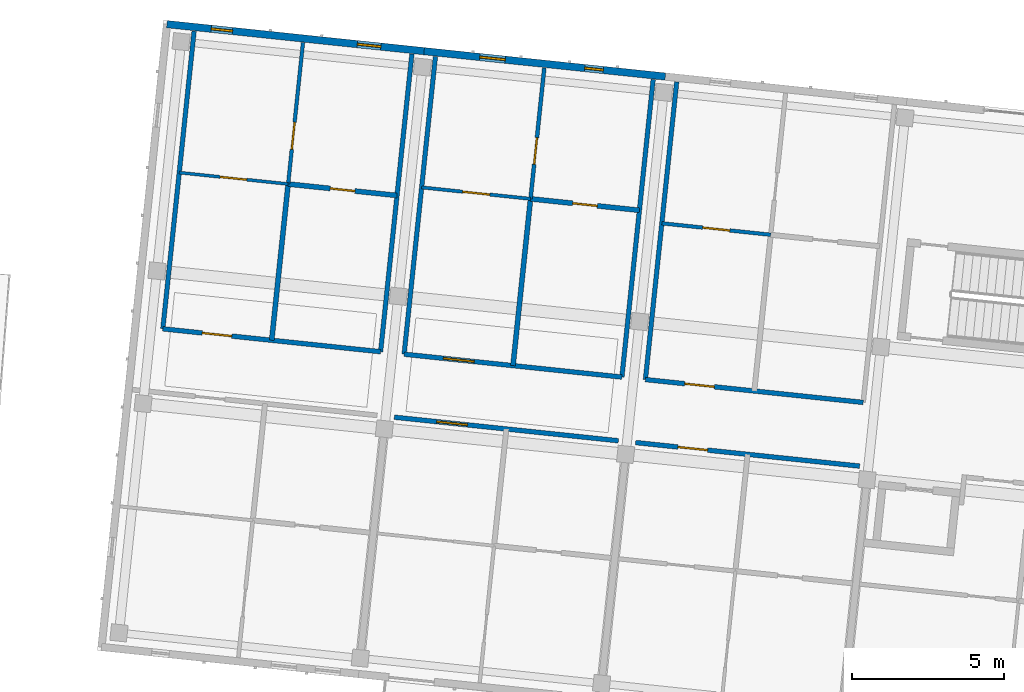
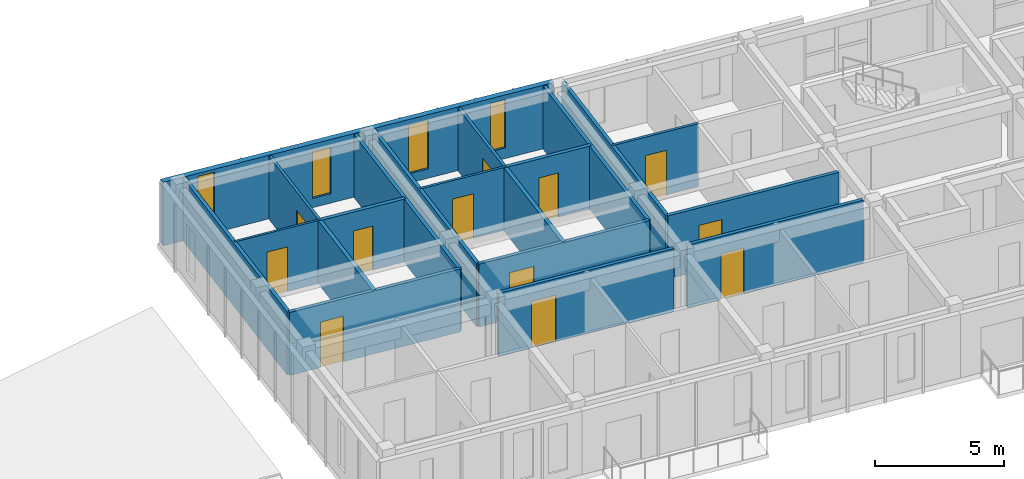
# One storey, part 30 of 74: 21 walls, 12 doors, 4 windows, 16 openings.
"""IFC4 building model written with IfcOpenShell, lengths in metres."""

from ifc_helpers import new_model, si_unit, direction, frame, frame_2d, origin, place, context, subcontext, project, spatial, rectangle, extrude, material, layer, layer_set, type_object, element, fill, save


model = new_model("IFC4")

# Units and contexts
model_context = context("Model", 3, precision=1e-05, world=origin(), true_north=direction((0.0, 1.0)))
body_context = subcontext(model_context, "Body", "Model", "MODEL_VIEW")
ifc_project = project(units=[si_unit("LENGTHUNIT", "METRE"), si_unit("AREAUNIT", "SQUARE_METRE"), si_unit("VOLUMEUNIT", "CUBIC_METRE"), si_unit("PLANEANGLEUNIT", "RADIAN"), si_unit("MASSUNIT", "GRAM", prefix="KILO")], contexts=[model_context])

# Site, building, storey
site_placement = place(None, origin())
site = spatial("IfcSite", under=ifc_project, at=site_placement, CompositionType="ELEMENT")
building_placement = place(site_placement, origin())
building = spatial("IfcBuilding", under=site, at=building_placement, Name="Kestramere Prow Commons", CompositionType="ELEMENT")
storey_placement = place(building_placement, frame((0.0, 0.0, 11.64990234375)))
storey = spatial("IfcBuildingStorey", under=building, at=storey_placement, Name="L03", CompositionType="ELEMENT", Elevation=11.64990234375)

# Wall, openings, windows
ifc_material_1 = material(Name="Fluoropolymer Standing-Seam Zinc-Aluminium Cladding", Category="aluminium")
ifc_layer_1 = layer(ifc_material_1, 0.239990234375)
ifc_layer_set_1 = layer_set([ifc_layer_1], Name="Fluoropolymer Standing-Seam Zinc-Aluminium Cladding")
wall_type_1 = type_object("IfcWallType", Name="EW-SEAM-240", PredefinedType="SOLIDWALL", material=ifc_layer_set_1)
wall_1_placement = place(storey_placement, frame((111.58154296875, 114.86962890625, 0.0), z_axis=(0.0, 0.0, 1.0), x_axis=(0.994521760736, -0.104529744196, 0.0)))
wall_1 = element("IfcWall", 1, at=wall_1_placement, inside=storey, type_object=wall_type_1, Name="Block B L03 North Standing-Seam Wall 1", PredefinedType="SOLIDWALL", context=body_context, shape_type="SweptSolid", body=[
    extrude(rectangle(XDim=8.52490234375, YDim=0.239990234375, at=frame_2d((4.262451171875, 0.0))), origin(), (0.0, 0.0, 1.0), 3.0),
])
opening_1_placement = place(wall_1_placement, frame((1.472900390625, 0.0, 0.5)))
opening_1 = element("IfcOpeningElement", 2, at=opening_1_placement, cuts=wall_1, Name="Opening WN-07", PredefinedType="OPENING", context=body_context, shape_type="SweptSolid", body=[
    extrude(rectangle(XDim=0.699951171875, YDim=2.360107421875, at=frame_2d((0.35009765625, 1.18017578125))), frame((0.0, 0.135009765625, 0.0), z_axis=(0.0, -1.0, 0.0), x_axis=(1.0, 0.0, 0.0)), (0.0, 0.0, 1.0), 0.27001953125),
])
opening_2_placement = place(wall_1_placement, frame((6.31494140625, 0.0, 0.43994140625)))
opening_2 = element("IfcOpeningElement", 3, at=opening_2_placement, cuts=wall_1, Name="Opening WN-11", PredefinedType="OPENING", context=body_context, shape_type="SweptSolid", body=[
    extrude(rectangle(XDim=0.780029296875, YDim=2.199951171875, at=frame_2d((0.39013671875, 1.10009765625))), frame((0.0, 0.135009765625, 0.0), z_axis=(0.0, -1.0, 0.0), x_axis=(1.0, 0.0, 0.0)), (0.0, 0.0, 1.0), 0.27001953125),
])
ifc_material_2 = material(Name="Low-E Laminated Double Glazing", Category="glass")
window_type_1 = type_object("IfcWindowType", Name="WN-NAR-700A", PartitioningType="SINGLE_PANEL", PredefinedType="WINDOW", material=ifc_material_2)
window_1_placement = place(opening_1_placement, origin())
window_1 = element("IfcWindow", 4, at=window_1_placement, inside=storey, type_object=window_type_1, Name="WN-B-L03-N-0-0", OverallHeight=2.360107421875, OverallWidth=0.699951171875, PartitioningType="SINGLE_PANEL", PredefinedType="WINDOW", context=body_context, shape_type="SweptSolid", body=[
    extrude(rectangle(XDim=0.699951171875, YDim=2.360107421875, at=frame_2d((0.35009765625, 1.18017578125))), frame((0.0, 0.030029296875, 0.0), z_axis=(0.0, -1.0, 0.0), x_axis=(1.0, 0.0, 0.0)), (0.0, 0.0, 1.0), 0.06005859375),
])
fill(opening_1, window_1)
window_type_2 = type_object("IfcWindowType", Name="WN-NAR-780A", PartitioningType="SINGLE_PANEL", PredefinedType="WINDOW", material=ifc_material_2)
window_2_placement = place(opening_2_placement, origin())
window_2 = element("IfcWindow", 5, at=window_2_placement, inside=storey, type_object=window_type_2, Name="WN-B-L03-N-0-1", OverallHeight=2.199951171875, OverallWidth=0.780029296875, PartitioningType="SINGLE_PANEL", PredefinedType="WINDOW", context=body_context, shape_type="SweptSolid", body=[
    extrude(rectangle(XDim=0.780029296875, YDim=2.199951171875, at=frame_2d((0.39013671875, 1.10009765625))), frame((0.0, 0.030029296875, 0.0), z_axis=(0.0, -1.0, 0.0), x_axis=(1.0, 0.0, 0.0)), (0.0, 0.0, 1.0), 0.06005859375),
])
fill(opening_2, window_2)

wall_2_placement = place(storey_placement, frame((120.059814453125, 113.978515625, 0.0), z_axis=(0.0, 0.0, 1.0), x_axis=(0.994522329422, -0.104524333444, 0.0)))
wall_2 = element("IfcWall", 6, at=wall_2_placement, inside=storey, type_object=wall_type_1, Name="Block B L03 North Standing-Seam Wall 2", PredefinedType="SOLIDWALL", context=body_context, shape_type="SweptSolid", body=[
    extrude(rectangle(XDim=7.999755859375, YDim=0.239990234375, at=frame_2d((4.0, 0.0))), origin(), (0.0, 0.0, 1.0), 3.0),
])
opening_3_placement = place(wall_2_placement, frame((1.847900390625, 0.0, 0.43994140625)))
opening_3 = element("IfcOpeningElement", 7, at=opening_3_placement, cuts=wall_2, Name="Opening WN-14", PredefinedType="OPENING", context=body_context, shape_type="SweptSolid", body=[
    extrude(rectangle(XDim=0.840087890625, YDim=2.280029296875, at=frame_2d((0.419921875, 1.14013671875))), frame((0.0, 0.135009765625, 0.0), z_axis=(0.0, -1.0, 0.0), x_axis=(1.0, 0.0, 0.0)), (0.0, 0.0, 1.0), 0.27001953125),
])
opening_4_placement = place(wall_2_placement, frame((5.323974609375, 0.0, 0.5)))
opening_4 = element("IfcOpeningElement", 8, at=opening_4_placement, cuts=wall_2, Name="Opening WN-03", PredefinedType="OPENING", context=body_context, shape_type="SweptSolid", body=[
    extrude(rectangle(XDim=0.6201171875, YDim=2.280029296875, at=frame_2d((0.31005859375, 1.14013671875))), frame((0.0, 0.135009765625, 0.0), z_axis=(0.0, -1.0, 0.0), x_axis=(1.0, 0.0, 0.0)), (0.0, 0.0, 1.0), 0.27001953125),
])
window_type_3 = type_object("IfcWindowType", Name="WN-NAR-620A", PartitioningType="SINGLE_PANEL", PredefinedType="WINDOW", material=ifc_material_2)
window_3_placement = place(opening_4_placement, origin())
window_3 = element("IfcWindow", 9, at=window_3_placement, inside=storey, type_object=window_type_3, Name="WN-B-L03-N-1-1", OverallHeight=2.280029296875, OverallWidth=0.6201171875, PartitioningType="SINGLE_PANEL", PredefinedType="WINDOW", context=body_context, shape_type="SweptSolid", body=[
    extrude(rectangle(XDim=0.6201171875, YDim=2.280029296875, at=frame_2d((0.31005859375, 1.14013671875))), frame((0.0, 0.030029296875, 0.0), z_axis=(0.0, -1.0, 0.0), x_axis=(1.0, 0.0, 0.0)), (0.0, 0.0, 1.0), 0.06005859375),
])
fill(opening_4, window_3)
window_type_4 = type_object("IfcWindowType", Name="WN-NAR-840A", PartitioningType="DOUBLE_PANEL_VERTICAL", PredefinedType="WINDOW", material=ifc_material_2)
window_4_placement = place(opening_3_placement, origin())
window_4 = element("IfcWindow", 10, at=window_4_placement, inside=storey, type_object=window_type_4, Name="WN-B-L03-N-1-0", OverallHeight=2.280029296875, OverallWidth=0.840087890625, PartitioningType="SINGLE_PANEL", PredefinedType="WINDOW", context=body_context, shape_type="SweptSolid", body=[
    extrude(rectangle(XDim=0.840087890625, YDim=2.280029296875, at=frame_2d((0.419921875, 1.14013671875))), frame((0.0, 0.030029296875, 0.0), z_axis=(0.0, -1.0, 0.0), x_axis=(1.0, 0.0, 0.0)), (0.0, 0.0, 1.0), 0.06005859375),
])
fill(opening_3, window_4)

# Wall, opening, door
ifc_material_3 = material(Name="Fire-Rated Calcium Silicate Wall")
ifc_layer_2 = layer(ifc_material_3, 0.155029296875)
ifc_layer_set_2 = layer_set([ifc_layer_2], Name="Fire-Rated Calcium Silicate Wall")
wall_type_2 = type_object("IfcWallType", Name="W-FIRE-150", PredefinedType="PARTITIONING", material=ifc_layer_set_2)
wall_3_placement = place(storey_placement, frame((119.077880859375, 101.91015625, 0.0), z_axis=(0.0, 0.0, 1.0), x_axis=(0.99451912784, -0.104554791185, 0.0)))
wall_3 = element("IfcWall", 11, at=wall_3_placement, inside=storey, type_object=wall_type_2, Name="Interior Partition PW-B-L03-CS-1", PredefinedType="PARTITIONING", context=body_context, shape_type="SweptSolid", body=[
    extrude(rectangle(XDim=7.43017578125, YDim=0.155029296875, at=frame_2d((3.715087890625, 0.0))), origin(), (0.0, 0.0, 1.0), 2.97021484375),
])
opening_5_placement = place(wall_3_placement, frame((1.405029296875, 0.0, 0.0)))
opening_5 = element("IfcOpeningElement", 12, at=opening_5_placement, cuts=wall_3, Name="Opening ID-05", PredefinedType="OPENING", context=body_context, shape_type="SweptSolid", body=[
    extrude(rectangle(XDim=1.02001953125, YDim=2.199951171875, at=frame_2d((0.510009765625, 1.10009765625))), frame((0.0, 0.092529296875, 0.0), z_axis=(0.0, -1.0, 0.0), x_axis=(1.0, 0.0, 0.0)), (0.0, 0.0, 1.0), 0.18505859375),
])
ifc_material_4 = material(Name="Hardwood Fire-Rated Flat Entrance Door", Category="wood")
door_type_1 = type_object("IfcDoorType", Name="FD-ENT-02", OperationType="NOTDEFINED", PredefinedType="DOOR", material=ifc_material_4)
door_1_placement = place(opening_5_placement, origin())
door_1 = element("IfcDoor", 13, at=door_1_placement, inside=storey, type_object=door_type_1, Name="Interior Door DR-B-L03-ENT-S1", OperationType="SINGLE_SWING_LEFT", OverallHeight=2.199951171875, OverallWidth=1.02001953125, PredefinedType="DOOR", context=body_context, shape_type="SweptSolid", body=[
    extrude(rectangle(XDim=1.02001953125, YDim=2.199951171875, at=frame_2d((0.510009765625, 1.10009765625))), frame((0.0, 0.02490234375, 0.0), z_axis=(0.0, -1.0, 0.0), x_axis=(1.0, 0.0, 0.0)), (0.0, 0.0, 1.0), 0.050048828125),
])
fill(opening_5, door_1)

wall_4_placement = place(storey_placement, frame((127.0341796875, 101.07373046875, 0.0), z_axis=(0.0, 0.0, 1.0), x_axis=(0.994522184982, -0.104525707739, 0.0)))
wall_4 = element("IfcWall", 14, at=wall_4_placement, inside=storey, type_object=wall_type_2, Name="Interior Partition PW-B-L03-CS-2", PredefinedType="PARTITIONING", context=body_context, shape_type="SweptSolid", body=[
    extrude(rectangle(XDim=7.429931640625, YDim=0.155029296875, at=frame_2d((3.71484375, 0.0))), origin(), (0.0, 0.0, 1.0), 2.97021484375),
])
opening_6_placement = place(wall_4_placement, frame((1.405029296875, 0.0, 0.0)))
opening_6 = element("IfcOpeningElement", 15, at=opening_6_placement, cuts=wall_4, Name="Opening ID-04", PredefinedType="OPENING", context=body_context, shape_type="SweptSolid", body=[
    extrude(rectangle(XDim=0.97998046875, YDim=2.14990234375, at=frame_2d((0.489990234375, 1.074951171875))), frame((0.0, 0.092529296875, 0.0), z_axis=(0.0, -1.0, 0.0), x_axis=(1.0, 0.0, 0.0)), (0.0, 0.0, 1.0), 0.18505859375),
])
door_type_2 = type_object("IfcDoorType", Name="FD-ENT-01", OperationType="NOTDEFINED", PredefinedType="DOOR", material=ifc_material_4)
door_2_placement = place(opening_6_placement, origin())
door_2 = element("IfcDoor", 16, at=door_2_placement, inside=storey, type_object=door_type_2, Name="Interior Door DR-B-L03-ENT-S2", OperationType="SINGLE_SWING_RIGHT", OverallHeight=2.14990234375, OverallWidth=0.97998046875, PredefinedType="DOOR", context=body_context, shape_type="SweptSolid", body=[
    extrude(rectangle(XDim=0.97998046875, YDim=2.14990234375, at=frame_2d((0.489990234375, 1.074951171875))), frame((0.0, 0.02490234375, 0.0), z_axis=(0.0, -1.0, 0.0), x_axis=(1.0, 0.0, 0.0)), (0.0, 0.0, 1.0), 0.050048828125),
])
fill(opening_6, door_2)

wall_5_placement = place(storey_placement, frame((111.44580078125, 104.82373046875, 0.0), z_axis=(0.0, 0.0, 1.0), x_axis=(0.994522671024, -0.104521083137, 0.0)))
wall_5 = element("IfcWall", 17, at=wall_5_placement, inside=storey, type_object=wall_type_2, Name="Interior Partition PW-B-L03-CN-0", PredefinedType="PARTITIONING", context=body_context, shape_type="SweptSolid", body=[
    extrude(rectangle(XDim=7.219970703125, YDim=0.155029296875, at=frame_2d((3.60986328125, 0.0))), origin(), (0.0, 0.0, 1.0), 2.97021484375),
])
opening_7_placement = place(wall_5_placement, frame((1.304931640625, 0.0, 0.0)))
opening_7 = element("IfcOpeningElement", 18, at=opening_7_placement, cuts=wall_5, Name="Opening ID-04", PredefinedType="OPENING", context=body_context, shape_type="SweptSolid", body=[
    extrude(rectangle(XDim=0.97998046875, YDim=2.14990234375, at=frame_2d((0.489990234375, 1.074951171875))), frame((0.0, 0.092529296875, 0.0), z_axis=(0.0, -1.0, 0.0), x_axis=(1.0, 0.0, 0.0)), (0.0, 0.0, 1.0), 0.18505859375),
])
door_3_placement = place(opening_7_placement, origin())
door_3 = element("IfcDoor", 19, at=door_3_placement, inside=storey, type_object=door_type_2, Name="Interior Door DR-B-L03-ENT-N0", OperationType="SINGLE_SWING_RIGHT", OverallHeight=2.14990234375, OverallWidth=0.97998046875, PredefinedType="DOOR", context=body_context, shape_type="SweptSolid", body=[
    extrude(rectangle(XDim=0.97998046875, YDim=2.14990234375, at=frame_2d((0.489990234375, 1.074951171875))), frame((0.0, 0.02490234375, 0.0), z_axis=(0.0, -1.0, 0.0), x_axis=(1.0, 0.0, 0.0)), (0.0, 0.0, 1.0), 0.050048828125),
])
fill(opening_7, door_3)

wall_6_placement = place(storey_placement, frame((119.40185546875, 103.987548828125, 0.0), z_axis=(0.0, 0.0, 1.0), x_axis=(0.994522671024, -0.104521083137, 0.0)))
wall_6 = element("IfcWall", 20, at=wall_6_placement, inside=storey, type_object=wall_type_2, Name="Interior Partition PW-B-L03-CN-1", PredefinedType="PARTITIONING", context=body_context, shape_type="SweptSolid", body=[
    extrude(rectangle(XDim=7.219970703125, YDim=0.155029296875, at=frame_2d((3.60986328125, 0.0))), origin(), (0.0, 0.0, 1.0), 2.97021484375),
])
opening_8_placement = place(wall_6_placement, frame((1.304931640625, 0.0, 0.0)))
opening_8 = element("IfcOpeningElement", 21, at=opening_8_placement, cuts=wall_6, Name="Opening ID-05", PredefinedType="OPENING", context=body_context, shape_type="SweptSolid", body=[
    extrude(rectangle(XDim=1.02001953125, YDim=2.199951171875, at=frame_2d((0.510009765625, 1.10009765625))), frame((0.0, 0.092529296875, 0.0), z_axis=(0.0, -1.0, 0.0), x_axis=(1.0, 0.0, 0.0)), (0.0, 0.0, 1.0), 0.18505859375),
])
door_4_placement = place(opening_8_placement, origin())
door_4 = element("IfcDoor", 22, at=door_4_placement, inside=storey, type_object=door_type_1, Name="Interior Door DR-B-L03-ENT-N1", OperationType="SINGLE_SWING_LEFT", OverallHeight=2.199951171875, OverallWidth=1.02001953125, PredefinedType="DOOR", context=body_context, shape_type="SweptSolid", body=[
    extrude(rectangle(XDim=1.02001953125, YDim=2.199951171875, at=frame_2d((0.510009765625, 1.10009765625))), frame((0.0, 0.02490234375, 0.0), z_axis=(0.0, -1.0, 0.0), x_axis=(1.0, 0.0, 0.0)), (0.0, 0.0, 1.0), 0.050048828125),
])
fill(opening_8, door_4)

wall_7_placement = place(storey_placement, frame((127.358154296875, 103.1513671875, 0.0), z_axis=(0.0, 0.0, 1.0), x_axis=(0.994522671024, -0.104521083137, 0.0)))
wall_7 = element("IfcWall", 23, at=wall_7_placement, inside=storey, type_object=wall_type_2, Name="Interior Partition PW-B-L03-CN-2", PredefinedType="PARTITIONING", context=body_context, shape_type="SweptSolid", body=[
    extrude(rectangle(XDim=7.219970703125, YDim=0.155029296875, at=frame_2d((3.60986328125, 0.0))), origin(), (0.0, 0.0, 1.0), 2.97021484375),
])
opening_9_placement = place(wall_7_placement, frame((1.304931640625, 0.0, 0.0)))
opening_9 = element("IfcOpeningElement", 24, at=opening_9_placement, cuts=wall_7, Name="Opening ID-04", PredefinedType="OPENING", context=body_context, shape_type="SweptSolid", body=[
    extrude(rectangle(XDim=0.97998046875, YDim=2.14990234375, at=frame_2d((0.489990234375, 1.074951171875))), frame((0.0, 0.092529296875, 0.0), z_axis=(0.0, -1.0, 0.0), x_axis=(1.0, 0.0, 0.0)), (0.0, 0.0, 1.0), 0.18505859375),
])
door_5_placement = place(opening_9_placement, origin())
door_5 = element("IfcDoor", 25, at=door_5_placement, inside=storey, type_object=door_type_2, Name="Interior Door DR-B-L03-ENT-N2", OperationType="SINGLE_SWING_RIGHT", OverallHeight=2.14990234375, OverallWidth=0.97998046875, PredefinedType="DOOR", context=body_context, shape_type="SweptSolid", body=[
    extrude(rectangle(XDim=0.97998046875, YDim=2.14990234375, at=frame_2d((0.489990234375, 1.074951171875))), frame((0.0, 0.02490234375, 0.0), z_axis=(0.0, -1.0, 0.0), x_axis=(1.0, 0.0, 0.0)), (0.0, 0.0, 1.0), 0.050048828125),
])
fill(opening_9, door_5)

ifc_material_5 = material(Name="Gypsum Acoustic Drywall")
ifc_layer_3 = layer(ifc_material_5, 0.10009765625)
ifc_layer_set_3 = layer_set([ifc_layer_3], Name="Gypsum Acoustic Drywall")
wall_type_3 = type_object("IfcWallType", Name="W-PART-100", PredefinedType="PARTITIONING", material=ifc_layer_set_3)
wall_8_placement = place(storey_placement, frame((111.987060546875, 109.975341796875, 0.0), z_axis=(0.0, 0.0, 1.0), x_axis=(0.994526554618, -0.104484123955, 0.0)))
wall_8 = element("IfcWall", 26, at=wall_8_placement, inside=storey, type_object=wall_type_3, Name="Interior Partition PW-B-L03-MIDN1-0", PredefinedType="PARTITIONING", context=body_context, shape_type="SweptSolid", body=[
    extrude(rectangle(XDim=3.610107421875, YDim=0.10009765625, at=frame_2d((1.80517578125, 0.0))), origin(), (0.0, 0.0, 1.0), 2.97021484375),
])
opening_10_placement = place(wall_8_placement, frame((1.35498046875, 0.0, 0.0)))
opening_10 = element("IfcOpeningElement", 27, at=opening_10_placement, cuts=wall_8, Name="Opening ID-10", PredefinedType="OPENING", context=body_context, shape_type="SweptSolid", body=[
    extrude(rectangle(XDim=0.8798828125, YDim=2.10009765625, at=frame_2d((0.43994140625, 1.050048828125))), frame((0.0, 0.06494140625, 0.0), z_axis=(0.0, -1.0, 0.0), x_axis=(1.0, 0.0, 0.0)), (0.0, 0.0, 1.0), 0.130126953125),
])
ifc_material_6 = material(Name="Engineered Timber Bedroom Door", Category="wood")
door_type_3 = type_object("IfcDoorType", Name="D-RM-03", OperationType="NOTDEFINED", PredefinedType="DOOR", material=ifc_material_6)
door_6_placement = place(opening_10_placement, origin())
door_6 = element("IfcDoor", 28, at=door_6_placement, inside=storey, type_object=door_type_3, Name="Interior Door DR-B-L03-KL-N0", OperationType="SINGLE_SWING_LEFT", OverallHeight=2.10009765625, OverallWidth=0.8798828125, PredefinedType="DOOR", context=body_context, shape_type="SweptSolid", body=[
    extrude(rectangle(XDim=0.8798828125, YDim=2.10009765625, at=frame_2d((0.43994140625, 1.050048828125))), frame((0.0, 0.02490234375, 0.0), z_axis=(0.0, -1.0, 0.0), x_axis=(1.0, 0.0, 0.0)), (0.0, 0.0, 1.0), 0.050048828125),
])
fill(opening_10, door_6)

ifc_layer_4 = layer(ifc_material_5, 0.110107421875)
ifc_layer_set_4 = layer_set([ifc_layer_4], Name="Gypsum Acoustic Drywall")
wall_type_4 = type_object("IfcWallType", Name="W-PART-110", PredefinedType="PARTITIONING", material=ifc_layer_set_4)
wall_9_placement = place(storey_placement, frame((119.97998046875, 109.4873046875, 0.0), z_axis=(0.0, 0.0, 1.0), x_axis=(0.994518785821, -0.104558044398, 0.0)))
wall_9 = element("IfcWall", 29, at=wall_9_placement, inside=storey, type_object=wall_type_4, Name="Interior Partition PW-B-L03-MIDN1-1", PredefinedType="PARTITIONING", context=body_context, shape_type="SweptSolid", body=[
    extrude(rectangle(XDim=3.60986328125, YDim=0.110107421875, at=frame_2d((1.804931640625, 0.0))), origin(), (0.0, 0.0, 1.0), 2.97021484375),
])
opening_11_placement = place(wall_9_placement, frame((1.35498046875, 0.0, 0.0)))
opening_11 = element("IfcOpeningElement", 30, at=opening_11_placement, cuts=wall_9, Name="Opening ID-08", PredefinedType="OPENING", context=body_context, shape_type="SweptSolid", body=[
    extrude(rectangle(XDim=0.89990234375, YDim=2.10009765625, at=frame_2d((0.449951171875, 1.050048828125))), frame((0.0, 0.070068359375, 0.0), z_axis=(0.0, -1.0, 0.0), x_axis=(1.0, 0.0, 0.0)), (0.0, 0.0, 1.0), 0.14013671875),
])
ifc_material_7 = material(Name="Engineered Timber Flush Door", Category="wood")
door_type_4 = type_object("IfcDoorType", Name="D-RM-01", OperationType="NOTDEFINED", PredefinedType="DOOR", material=ifc_material_7)
door_7_placement = place(opening_11_placement, origin())
door_7 = element("IfcDoor", 31, at=door_7_placement, inside=storey, type_object=door_type_4, Name="Interior Door DR-B-L03-KL-N1", OperationType="SINGLE_SWING_LEFT", OverallHeight=2.10009765625, OverallWidth=0.89990234375, PredefinedType="DOOR", context=body_context, shape_type="SweptSolid", body=[
    extrude(rectangle(XDim=0.89990234375, YDim=2.10009765625, at=frame_2d((0.449951171875, 1.050048828125))), frame((0.0, 0.02490234375, 0.0), z_axis=(0.0, -1.0, 0.0), x_axis=(1.0, 0.0, 0.0)), (0.0, 0.0, 1.0), 0.050048828125),
])
fill(opening_11, door_7)

ifc_material_8 = material(Name="Lightweight Blockwork and Plaster", Category="masonry")
ifc_layer_5 = layer(ifc_material_8, 0.1201171875)
ifc_layer_set_5 = layer_set([ifc_layer_5], Name="Lightweight Blockwork and Plaster")
wall_type_5 = type_object("IfcWallType", Name="W-PART-120", PredefinedType="PARTITIONING", material=ifc_layer_set_5)
wall_10_placement = place(storey_placement, frame((115.577392578125, 109.59814453125, 0.0), z_axis=(0.0, 0.0, 1.0), x_axis=(0.104527618124, 0.994521984196, 0.0)))
wall_10 = element("IfcWall", 32, at=wall_10_placement, inside=storey, type_object=wall_type_5, Name="Interior Partition PW-B-L03-LB-N0", PredefinedType="PARTITIONING", context=body_context, shape_type="SweptSolid", body=[
    extrude(rectangle(XDim=4.68994140625, YDim=0.1201171875, at=frame_2d((2.344970703125, 0.0))), origin(), (0.0, 0.0, 1.0), 2.97021484375),
])
opening_12_placement = place(wall_10_placement, frame((1.14990234375, 0.0, 0.0)))
opening_12 = element("IfcOpeningElement", 33, at=opening_12_placement, cuts=wall_10, Name="Opening ID-08", PredefinedType="OPENING", context=body_context, shape_type="SweptSolid", body=[
    extrude(rectangle(XDim=0.89990234375, YDim=2.10009765625, at=frame_2d((0.449951171875, 1.050048828125))), frame((0.0, 0.074951171875, 0.0), z_axis=(0.0, -1.0, 0.0), x_axis=(1.0, 0.0, 0.0)), (0.0, 0.0, 1.0), 0.150146484375),
])
door_8_placement = place(opening_12_placement, origin())
door_8 = element("IfcDoor", 34, at=door_8_placement, inside=storey, type_object=door_type_4, Name="Interior Door DR-B-L03-BED-N0", OperationType="SINGLE_SWING_LEFT", OverallHeight=2.10009765625, OverallWidth=0.89990234375, PredefinedType="DOOR", context=body_context, shape_type="SweptSolid", body=[
    extrude(rectangle(XDim=0.89990234375, YDim=2.10009765625, at=frame_2d((0.449951171875, 1.050048828125))), frame((0.0, 0.02490234375, 0.0), z_axis=(0.0, -1.0, 0.0), x_axis=(1.0, 0.0, 0.0)), (0.0, 0.0, 1.0), 0.050048828125),
])
fill(opening_12, door_8)

wall_11_placement = place(storey_placement, frame((127.8994140625, 108.302978515625, 0.0), z_axis=(0.0, 0.0, 1.0), x_axis=(0.994519525119, -0.104551012229, 0.0)))
wall_11 = element("IfcWall", 35, at=wall_11_placement, inside=storey, type_object=wall_type_5, Name="Interior Partition PW-B-L03-MIDN1-2", PredefinedType="PARTITIONING", context=body_context, shape_type="SweptSolid", body=[
    extrude(rectangle(XDim=3.610107421875, YDim=0.1201171875, at=frame_2d((1.80517578125, 0.0))), origin(), (0.0, 0.0, 1.0), 2.97021484375),
])
opening_13_placement = place(wall_11_placement, frame((1.35498046875, 0.0, 0.0)))
opening_13 = element("IfcOpeningElement", 36, at=opening_13_placement, cuts=wall_11, Name="Opening ID-08", PredefinedType="OPENING", context=body_context, shape_type="SweptSolid", body=[
    extrude(rectangle(XDim=0.89990234375, YDim=2.10009765625, at=frame_2d((0.449951171875, 1.050048828125))), frame((0.0, 0.074951171875, 0.0), z_axis=(0.0, -1.0, 0.0), x_axis=(1.0, 0.0, 0.0)), (0.0, 0.0, 1.0), 0.150146484375),
])
door_9_placement = place(opening_13_placement, origin())
door_9 = element("IfcDoor", 37, at=door_9_placement, inside=storey, type_object=door_type_4, Name="Interior Door DR-B-L03-KL-N2", OperationType="SINGLE_SWING_LEFT", OverallHeight=2.10009765625, OverallWidth=0.89990234375, PredefinedType="DOOR", context=body_context, shape_type="SweptSolid", body=[
    extrude(rectangle(XDim=0.89990234375, YDim=2.10009765625, at=frame_2d((0.449951171875, 1.050048828125))), frame((0.0, 0.02490234375, 0.0), z_axis=(0.0, -1.0, 0.0), x_axis=(1.0, 0.0, 0.0)), (0.0, 0.0, 1.0), 0.050048828125),
])
fill(opening_13, door_9)

ifc_layer_6 = layer(ifc_material_8, 0.1298828125)
ifc_layer_set_6 = layer_set([ifc_layer_6], Name="Lightweight Blockwork and Plaster")
wall_type_6 = type_object("IfcWallType", Name="W-PART-130", PredefinedType="PARTITIONING", material=ifc_layer_set_6)
wall_12_placement = place(storey_placement, frame((123.570068359375, 109.10986328125, 0.0), z_axis=(0.0, 0.0, 1.0), x_axis=(0.104514950243, 0.994523315552, 0.0)))
wall_12 = element("IfcWall", 38, at=wall_12_placement, inside=storey, type_object=wall_type_6, Name="Interior Partition PW-B-L03-LB-N1", PredefinedType="PARTITIONING", context=body_context, shape_type="SweptSolid", body=[
    extrude(rectangle(XDim=4.340087890625, YDim=0.1298828125, at=frame_2d((2.169921875, 0.0))), origin(), (0.0, 0.0, 1.0), 2.97021484375),
])
opening_14_placement = place(wall_12_placement, frame((1.14990234375, 0.0, 0.0)))
opening_14 = element("IfcOpeningElement", 39, at=opening_14_placement, cuts=wall_12, Name="Opening ID-10", PredefinedType="OPENING", context=body_context, shape_type="SweptSolid", body=[
    extrude(rectangle(XDim=0.8798828125, YDim=2.10009765625, at=frame_2d((0.43994140625, 1.050048828125))), frame((0.0, 0.079833984375, 0.0), z_axis=(0.0, -1.0, 0.0), x_axis=(1.0, 0.0, 0.0)), (0.0, 0.0, 1.0), 0.159912109375),
])
door_10_placement = place(opening_14_placement, origin())
door_10 = element("IfcDoor", 40, at=door_10_placement, inside=storey, type_object=door_type_3, Name="Interior Door DR-B-L03-BED-N1", OperationType="SINGLE_SWING_LEFT", OverallHeight=2.10009765625, OverallWidth=0.8798828125, PredefinedType="DOOR", context=body_context, shape_type="SweptSolid", body=[
    extrude(rectangle(XDim=0.8798828125, YDim=2.10009765625, at=frame_2d((0.43994140625, 1.050048828125))), frame((0.0, 0.02490234375, 0.0), z_axis=(0.0, -1.0, 0.0), x_axis=(1.0, 0.0, 0.0)), (0.0, 0.0, 1.0), 0.050048828125),
])
fill(opening_14, door_10)

# Walls
ifc_material_9 = material(Name="Masonry Compartment Wall", Category="masonry")
ifc_layer_7 = layer(ifc_material_9, 0.14990234375)
ifc_layer_set_7 = layer_set([ifc_layer_7], Name="Masonry Compartment Wall")
wall_type_7 = type_object("IfcWallType", Name="W-PART-150", PredefinedType="PARTITIONING", material=ifc_layer_set_7)
for number, where, z_axis, x_axis, name in (
    (41, (111.44580078125, 104.82373046875, 0.0), (0.0, 0.0, 1.0), (0.104508379977, 0.994524006002, 0.0), "Interior Partition PW-B-L03-NWL-0"),
    (42, (118.626220703125, 104.069091796875, 0.0), (0.0, 0.0, 1.0), (0.104508379977, 0.994524006002, 0.0), "Interior Partition PW-B-L03-NWR-0"),
    (43, (119.40185546875, 103.987548828125, 0.0), (0.0, 0.0, 1.0), (0.10453284543, 0.994521434775, 0.0), "Interior Partition PW-B-L03-NWL-1"),
    (44, (126.582275390625, 103.23291015625, 0.0), (0.0, 0.0, 1.0), (0.10453284543, 0.994521434775, 0.0), "Interior Partition PW-B-L03-NWR-1"),
    (45, (127.358154296875, 103.1513671875, 0.0), (0.0, 0.0, 1.0), (0.104508379977, 0.994524006002, 0.0), "Interior Partition PW-B-L03-NWL-2"),
):
    element("IfcWall", number, at=place(storey_placement, frame(where, z_axis=z_axis, x_axis=x_axis)), inside=storey, type_object=wall_type_7, Name=name, PredefinedType="PARTITIONING", context=body_context, shape_type="SweptSolid", body=[
        extrude(rectangle(XDim=9.869873046875, YDim=0.14990234375, at=frame_2d((4.93505859375, 0.0))), origin(), (0.0, 0.0, 1.0), 2.97021484375),
    ])

# Wall, opening, door
ifc_material_10 = material(Name="Waterproof Sanitary Masonry Wall", Category="masonry")
ifc_layer_8 = layer(ifc_material_10, 0.1650390625)
ifc_layer_set_8 = layer_set([ifc_layer_8], Name="Waterproof Sanitary Masonry Wall")
wall_type_8 = type_object("IfcWallType", Name="W-PLUMB-150", PredefinedType="PLUMBINGWALL", material=ifc_layer_set_8)
wall_13_placement = place(storey_placement, frame((115.577392578125, 109.59814453125, 0.0), z_axis=(0.0, 0.0, 1.0), x_axis=(0.994518785821, -0.104558044398, 0.0)))
wall_13 = element("IfcWall", 46, at=wall_13_placement, inside=storey, type_object=wall_type_8, Name="Interior Partition PW-B-L03-MIDN2-0", PredefinedType="PLUMBINGWALL", context=body_context, shape_type="SweptSolid", body=[
    extrude(rectangle(XDim=3.60986328125, YDim=0.1650390625, at=frame_2d((1.804931640625, 0.0))), origin(), (0.0, 0.0, 1.0), 2.97021484375),
])
opening_15_placement = place(wall_13_placement, frame((1.39501953125, 0.0, 0.0)))
opening_15 = element("IfcOpeningElement", 47, at=opening_15_placement, cuts=wall_13, Name="Opening ID-11", PredefinedType="OPENING", context=body_context, shape_type="SweptSolid", body=[
    extrude(rectangle(XDim=0.820068359375, YDim=2.080078125, at=frame_2d((0.41015625, 1.0400390625))), frame((0.0, 0.097412109375, 0.0), z_axis=(0.0, -1.0, 0.0), x_axis=(1.0, 0.0, 0.0)), (0.0, 0.0, 1.0), 0.195068359375),
])
ifc_material_11 = material(Name="Moisture-Resistant Timber Bathroom Door", Category="wood")
door_type_5 = type_object("IfcDoorType", Name="D-BT-01", OperationType="NOTDEFINED", PredefinedType="DOOR", material=ifc_material_11)
door_11_placement = place(opening_15_placement, origin())
door_11 = element("IfcDoor", 48, at=door_11_placement, inside=storey, type_object=door_type_5, Name="Interior Door DR-B-L03-BTH-N0", OperationType="SINGLE_SWING_RIGHT", OverallHeight=2.080078125, OverallWidth=0.820068359375, PredefinedType="DOOR", context=body_context, shape_type="SweptSolid", body=[
    extrude(rectangle(XDim=0.820068359375, YDim=2.080078125, at=frame_2d((0.41015625, 1.0400390625))), frame((0.0, 0.02490234375, 0.0), z_axis=(0.0, -1.0, 0.0), x_axis=(1.0, 0.0, 0.0)), (0.0, 0.0, 1.0), 0.050048828125),
])
fill(opening_15, door_11)

# Wall
wall_14_placement = place(storey_placement, frame((115.035888671875, 104.446533203125, 0.0), z_axis=(0.0, 0.0, 1.0), x_axis=(0.104537578263, 0.994520937301, 0.0)))
element("IfcWall", 49, at=wall_14_placement, inside=storey, type_object=wall_type_8, Name="Interior Partition PW-B-L03-KB-N0", PredefinedType="PLUMBINGWALL", context=body_context, shape_type="SweptSolid", body=[
    extrude(rectangle(XDim=5.179931640625, YDim=0.1650390625, at=frame_2d((2.58984375, 0.0))), origin(), (0.0, 0.0, 1.0), 2.97021484375),
])

# Wall, opening, door
wall_15_placement = place(storey_placement, frame((123.570068359375, 109.10986328125, 0.0), z_axis=(0.0, 0.0, 1.0), x_axis=(0.994526554618, -0.104484123955, 0.0)))
wall_15 = element("IfcWall", 50, at=wall_15_placement, inside=storey, type_object=wall_type_8, Name="Interior Partition PW-B-L03-MIDN2-1", PredefinedType="PLUMBINGWALL", context=body_context, shape_type="SweptSolid", body=[
    extrude(rectangle(XDim=3.610107421875, YDim=0.1650390625, at=frame_2d((1.80517578125, 0.0))), origin(), (0.0, 0.0, 1.0), 2.97021484375),
])
opening_16_placement = place(wall_15_placement, frame((1.39501953125, 0.0, 0.0)))
opening_16 = element("IfcOpeningElement", 51, at=opening_16_placement, cuts=wall_15, Name="Opening ID-11", PredefinedType="OPENING", context=body_context, shape_type="SweptSolid", body=[
    extrude(rectangle(XDim=0.820068359375, YDim=2.080078125, at=frame_2d((0.41015625, 1.0400390625))), frame((0.0, 0.097412109375, 0.0), z_axis=(0.0, -1.0, 0.0), x_axis=(1.0, 0.0, 0.0)), (0.0, 0.0, 1.0), 0.195068359375),
])
door_12_placement = place(opening_16_placement, origin())
door_12 = element("IfcDoor", 52, at=door_12_placement, inside=storey, type_object=door_type_5, Name="Interior Door DR-B-L03-BTH-N1", OperationType="SINGLE_SWING_RIGHT", OverallHeight=2.080078125, OverallWidth=0.820068359375, PredefinedType="DOOR", context=body_context, shape_type="SweptSolid", body=[
    extrude(rectangle(XDim=0.820068359375, YDim=2.080078125, at=frame_2d((0.41015625, 1.0400390625))), frame((0.0, 0.02490234375, 0.0), z_axis=(0.0, -1.0, 0.0), x_axis=(1.0, 0.0, 0.0)), (0.0, 0.0, 1.0), 0.050048828125),
])
fill(opening_16, door_12)

# Wall
wall_16_placement = place(storey_placement, frame((122.9921875, 103.610107421875, 0.0), z_axis=(0.0, 0.0, 1.0), x_axis=(0.104498634796, 0.994525030015, 0.0)))
element("IfcWall", 53, at=wall_16_placement, inside=storey, type_object=wall_type_8, Name="Interior Partition PW-B-L03-KB-N1", PredefinedType="PLUMBINGWALL", context=body_context, shape_type="SweptSolid", body=[
    extrude(rectangle(XDim=5.530029296875, YDim=0.1650390625, at=frame_2d((2.76513671875, 0.0))), origin(), (0.0, 0.0, 1.0), 2.97021484375),
])

save(model, "model.ifc")
